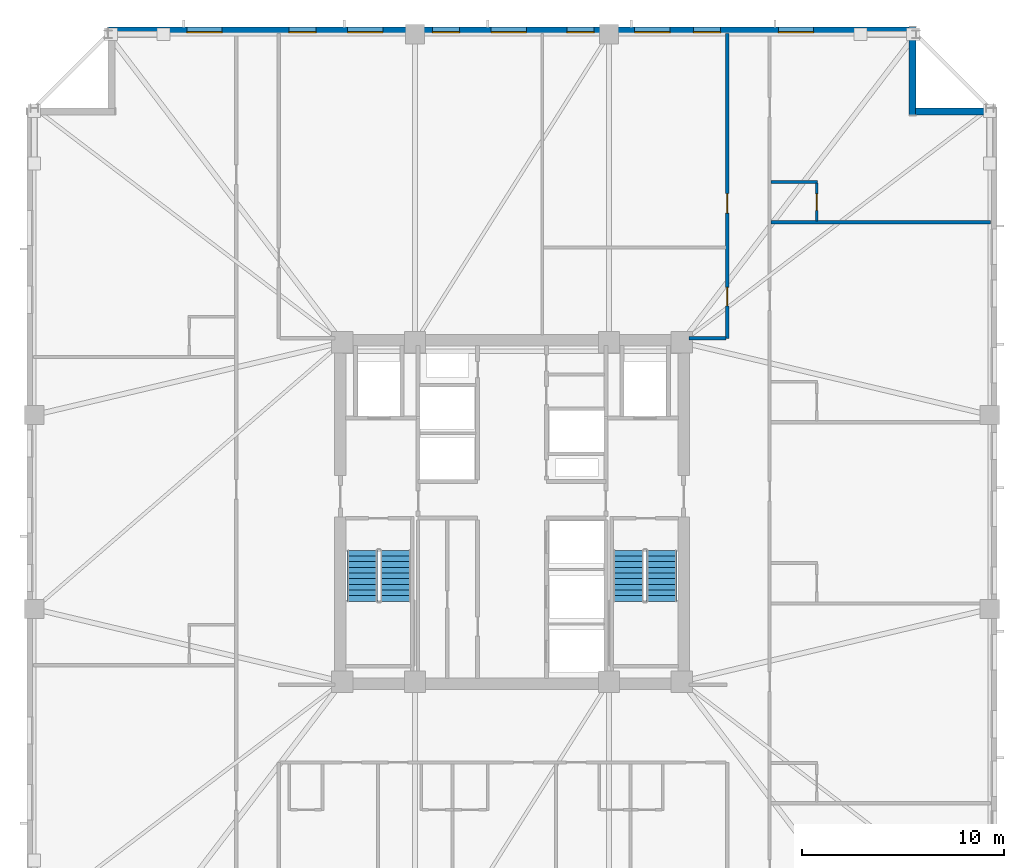
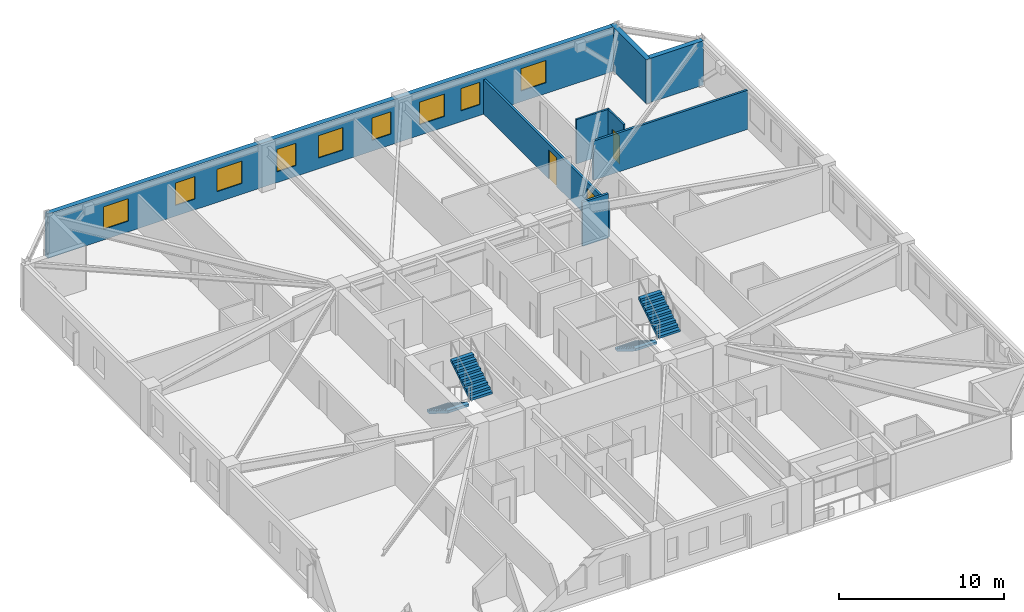
# One storey, part 6 of 11: 9 windows, 8 walls, 4 stair flights, 3 doors, 12 openings, 2 elements without a shape of their own.
"""IFC4 building model written with IfcOpenShell, lengths in metres."""

from ifc_helpers import new_model, si_unit, direction, frame, frame_2d, origin, place, context, subcontext, project, spatial, polyline, rectangle, outline, extrude, material, layer, layer_set, type_object, element, fill, aggregate, save


model = new_model("IFC4")

# Units and contexts
model_context = context("Model", 3, precision=1e-05, world=origin(), true_north=direction((0.0, 1.0)))
body_context = subcontext(model_context, "Body", "Model", "MODEL_VIEW")
ifc_project = project(units=[si_unit("LENGTHUNIT", "METRE"), si_unit("AREAUNIT", "SQUARE_METRE"), si_unit("VOLUMEUNIT", "CUBIC_METRE"), si_unit("PLANEANGLEUNIT", "RADIAN"), si_unit("MASSUNIT", "GRAM", prefix="KILO")], contexts=[model_context])

# Site, building, storey
site_placement = place(None, origin())
site = spatial("IfcSite", under=ifc_project, at=site_placement, CompositionType="ELEMENT")
building_placement = place(site_placement, origin())
building = spatial("IfcBuilding", under=site, at=building_placement, Name="Cairnveth Concourse Tower", CompositionType="ELEMENT")
storey_placement = place(building_placement, frame((0.0, 0.0, 165.5)))
storey = spatial("IfcBuildingStorey", under=building, at=storey_placement, Name="L45", CompositionType="ELEMENT", Elevation=165.5)

# Wall, openings, doors
ifc_material_1 = material(Name="Gypsum Plasterboard Partition", Category="gypsum")
ifc_layer_1 = layer(ifc_material_1, 0.159912109375)
ifc_layer_set_1 = layer_set([ifc_layer_1], Name="Gypsum Plasterboard Partition")
wall_type_1 = type_object("IfcWallType", Name="ACOUSTIC PARTY WALL 180", PredefinedType="PARTITIONING", material=ifc_layer_set_1)
wall_1_placement = place(storey_placement, frame((62.64990234375, 47.60009765625, 0.0), z_axis=(0.0, 0.0, 1.0), x_axis=(0.0, 1.0, 0.0)))
wall_1 = element("IfcWall", 1, at=wall_1_placement, inside=storey, type_object=wall_type_1, Name="Interior Wall IW-L45-044", PredefinedType="PARTITIONING", context=body_context, shape_type="SweptSolid", body=[
    extrude(rectangle(XDim=15.074951171875, YDim=0.159912109375, at=frame_2d((7.53759765625, 0.0))), origin(), (0.0, 0.0, 1.0), 2.554931640625),
])
opening_1_placement = place(wall_1_placement, frame((1.60009765625, 0.0, 0.0)))
opening_1 = element("IfcOpeningElement", 2, at=opening_1_placement, cuts=wall_1, Name="Opening ID15", PredefinedType="OPENING", context=body_context, shape_type="SweptSolid", body=[
    extrude(rectangle(XDim=0.919921875, YDim=2.1201171875, at=frame_2d((0.4599609375, 1.06005859375))), frame((0.0, 0.08984375, 0.0), z_axis=(0.0, -1.0, 0.0), x_axis=(1.0, 0.0, 0.0)), (0.0, 0.0, 1.0), 0.179931640625),
])
opening_2_placement = place(wall_1_placement, frame((6.199951171875, 0.0, 0.0)))
opening_2 = element("IfcOpeningElement", 3, at=opening_2_placement, cuts=wall_1, Name="Opening ID11", PredefinedType="OPENING", context=body_context, shape_type="SweptSolid", body=[
    extrude(rectangle(XDim=0.9599609375, YDim=2.1201171875, at=frame_2d((0.47998046875, 1.06005859375))), frame((0.0, 0.08984375, 0.0), z_axis=(0.0, -1.0, 0.0), x_axis=(1.0, 0.0, 0.0)), (0.0, 0.0, 1.0), 0.179931640625),
])
ifc_material_2 = material(Name="Solid Core Hardwood Timber Leaf", Category="wood")
door_type_1 = type_object("IfcDoorType", Name="INTERIOR SINGLE DOOR 920X2100", OperationType="NOTDEFINED", PredefinedType="DOOR", material=ifc_material_2)
door_1_placement = place(opening_1_placement, origin())
door_1 = element("IfcDoor", 4, at=door_1_placement, inside=storey, type_object=door_type_1, Name="Interior Door DR-L45-017", OperationType="SINGLE_SWING_LEFT", OverallHeight=2.1201171875, OverallWidth=0.919921875, PredefinedType="DOOR", context=body_context, shape_type="SweptSolid", body=[
    extrude(rectangle(XDim=0.919921875, YDim=2.1201171875, at=frame_2d((0.4599609375, 1.06005859375))), frame((0.0, 0.02490234375, 0.0), z_axis=(0.0, -1.0, 0.0), x_axis=(1.0, 0.0, 0.0)), (0.0, 0.0, 1.0), 0.050048828125),
])
fill(opening_1, door_1)
door_type_2 = type_object("IfcDoorType", Name="INTERIOR SINGLE DOOR 960X2150", OperationType="NOTDEFINED", PredefinedType="DOOR", material=ifc_material_2)
door_2_placement = place(opening_2_placement, origin())
door_2 = element("IfcDoor", 5, at=door_2_placement, inside=storey, type_object=door_type_2, Name="Interior Door DR-L45-018", OperationType="SINGLE_SWING_RIGHT", OverallHeight=2.1201171875, OverallWidth=0.9599609375, PredefinedType="DOOR", context=body_context, shape_type="SweptSolid", body=[
    extrude(rectangle(XDim=0.9599609375, YDim=2.1201171875, at=frame_2d((0.47998046875, 1.06005859375))), frame((0.0, 0.02490234375, 0.0), z_axis=(0.0, -1.0, 0.0), x_axis=(1.0, 0.0, 0.0)), (0.0, 0.0, 1.0), 0.050048828125),
])
fill(opening_2, door_2)

# Walls
wall_2_placement = place(storey_placement, frame((60.764892578125, 47.60009765625, 0.0), z_axis=(0.0, 0.0, 1.0), x_axis=(1.0, 0.0, 0.0)))
element("IfcWall", 6, at=wall_2_placement, inside=storey, type_object=wall_type_1, Name="Interior Wall IW-L45-046", PredefinedType="PARTITIONING", context=body_context, shape_type="SweptSolid", body=[
    extrude(rectangle(XDim=1.820068359375, YDim=0.159912109375, at=frame_2d((0.91015625, 0.0))), origin(), (0.0, 0.0, 1.0), 3.280029296875),
])
wall_3_placement = place(storey_placement, frame((64.830078125, 53.338134765625, 0.0), z_axis=(0.0, 0.0, 1.0), x_axis=(1.0, 0.0, 0.0)))
element("IfcWall", 7, at=wall_3_placement, inside=storey, type_object=wall_type_1, Name="Interior Wall IW-L45-086", PredefinedType="PARTITIONING", context=body_context, shape_type="SweptSolid", body=[
    extrude(rectangle(XDim=10.844970703125, YDim=0.159912109375, at=frame_2d((5.42236328125, 0.0))), origin(), (0.0, 0.0, 1.0), 2.89599609375),
])
ifc_layer_2 = layer(ifc_material_1, 0.1298828125)
ifc_layer_set_2 = layer_set([ifc_layer_2], Name="Gypsum Plasterboard Partition")
wall_type_2 = type_object("IfcWallType", Name="WET AREA PARTITION 140", PredefinedType="PLUMBINGWALL", material=ifc_layer_set_2)
wall_4_placement = place(storey_placement, frame((64.81494140625, 55.338134765625, 0.0), z_axis=(0.0, 0.0, 1.0), x_axis=(1.0, 0.0, 0.0)))
element("IfcWall", 8, at=wall_4_placement, inside=storey, type_object=wall_type_2, Name="Interior Wall IW-L45-087", PredefinedType="PLUMBINGWALL", context=body_context, shape_type="SweptSolid", body=[
    extrude(rectangle(XDim=2.31494140625, YDim=0.1298828125, at=frame_2d((1.157470703125, 0.0))), origin(), (0.0, 0.0, 1.0), 3.280029296875),
])

# Wall, opening, door
wall_5_placement = place(storey_placement, frame((67.080078125, 53.403076171875, 0.0), z_axis=(0.0, 0.0, 1.0), x_axis=(0.0, 1.0, 0.0)))
wall_5 = element("IfcWall", 9, at=wall_5_placement, inside=storey, type_object=wall_type_2, Name="Interior Wall IW-L45-088", PredefinedType="PLUMBINGWALL", context=body_context, shape_type="SweptSolid", body=[
    extrude(rectangle(XDim=1.885009765625, YDim=0.1298828125, at=frame_2d((0.9423828125, 0.0))), origin(), (0.0, 0.0, 1.0), 3.280029296875),
])
opening_3_placement = place(wall_5_placement, frame((0.52490234375, 0.0, 0.0)))
opening_3 = element("IfcOpeningElement", 10, at=opening_3_placement, cuts=wall_5, Name="Opening ID22", PredefinedType="OPENING", context=body_context, shape_type="SweptSolid", body=[
    extrude(rectangle(XDim=0.820068359375, YDim=2.10009765625, at=frame_2d((0.41015625, 1.050048828125))), frame((0.0, 0.074951171875, 0.0), z_axis=(0.0, -1.0, 0.0), x_axis=(1.0, 0.0, 0.0)), (0.0, 0.0, 1.0), 0.14990234375),
])
door_type_3 = type_object("IfcDoorType", Name="INTERIOR WC DOOR 820X2100", OperationType="NOTDEFINED", PredefinedType="DOOR", material=ifc_material_2)
door_3_placement = place(opening_3_placement, origin())
door_3 = element("IfcDoor", 11, at=door_3_placement, inside=storey, type_object=door_type_3, Name="En-Suite Door L45-E5", OperationType="SINGLE_SWING_LEFT", OverallHeight=2.10009765625, OverallWidth=0.820068359375, PredefinedType="DOOR", context=body_context, shape_type="SweptSolid", body=[
    extrude(rectangle(XDim=0.820068359375, YDim=2.10009765625, at=frame_2d((0.41015625, 1.050048828125))), frame((0.0, 0.02490234375, 0.0), z_axis=(0.0, -1.0, 0.0), x_axis=(1.0, 0.0, 0.0)), (0.0, 0.0, 1.0), 0.050048828125),
])
fill(opening_3, door_3)

# Wall, openings, windows
ifc_material_3 = material(Name="Hawthorn Red-Ochre Fired Clay Brick Masonry", Category="masonry")
ifc_layer_3 = layer(ifc_material_3, 0.340087890625)
ifc_layer_set_3 = layer_set([ifc_layer_3], Name="Hawthorn Red-Ochre Fired Clay Brick Masonry")
wall_type_3 = type_object("IfcWallType", Name="ZONE 2 BRICK PIER SPANDREL WALL 340", PredefinedType="SOLIDWALL", material=ifc_layer_set_3)
wall_6_placement = place(storey_placement, frame((32.0, 62.830078125, 0.0), z_axis=(0.0, 0.0, 1.0), x_axis=(1.0, 0.0, 0.0)))
wall_6 = element("IfcWall", 12, at=wall_6_placement, inside=storey, type_object=wall_type_3, Name="Exterior Wall EW-L45-S06", PredefinedType="SOLIDWALL", context=body_context, shape_type="SweptSolid", body=[
    extrude(rectangle(XDim=39.681884765625, YDim=0.340087890625, at=frame_2d((19.8408203125, 0.0))), origin(), (0.0, 0.0, 1.0), 3.280029296875),
])
opening_4_placement = place(wall_6_placement, frame((3.90185546875, 0.0, 0.800048828125)))
opening_4 = element("IfcOpeningElement", 13, at=opening_4_placement, cuts=wall_6, Name="Opening W06", PredefinedType="OPENING", context=body_context, shape_type="SweptSolid", body=[
    extrude(rectangle(XDim=1.75, YDim=1.659912109375, at=frame_2d((0.875, 0.830078125))), frame((0.0, 0.179931640625, 0.0), z_axis=(0.0, -1.0, 0.0), x_axis=(1.0, 0.0, 0.0)), (0.0, 0.0, 1.0), 0.360107421875),
])
opening_5_placement = place(wall_6_placement, frame((8.955322265625, 0.0, 0.800048828125)))
opening_5 = element("IfcOpeningElement", 14, at=opening_5_placement, cuts=wall_6, Name="Opening W02", PredefinedType="OPENING", context=body_context, shape_type="SweptSolid", body=[
    extrude(rectangle(XDim=1.35009765625, YDim=1.659912109375, at=frame_2d((0.675048828125, 0.830078125))), frame((0.0, 0.179931640625, 0.0), z_axis=(0.0, -1.0, 0.0), x_axis=(1.0, 0.0, 0.0)), (0.0, 0.0, 1.0), 0.360107421875),
])
opening_6_placement = place(wall_6_placement, frame((11.85888671875, 0.0, 0.800048828125)))
opening_6 = element("IfcOpeningElement", 15, at=opening_6_placement, cuts=wall_6, Name="Opening W06", PredefinedType="OPENING", context=body_context, shape_type="SweptSolid", body=[
    extrude(rectangle(XDim=1.75, YDim=1.659912109375, at=frame_2d((0.875, 0.830078125))), frame((0.0, 0.179931640625, 0.0), z_axis=(0.0, -1.0, 0.0), x_axis=(1.0, 0.0, 0.0)), (0.0, 0.0, 1.0), 0.360107421875),
])
opening_7_placement = place(wall_6_placement, frame((16.0625, 0.0, 0.800048828125)))
opening_7 = element("IfcOpeningElement", 16, at=opening_7_placement, cuts=wall_6, Name="Opening W02", PredefinedType="OPENING", context=body_context, shape_type="SweptSolid", body=[
    extrude(rectangle(XDim=1.35009765625, YDim=1.659912109375, at=frame_2d((0.675048828125, 0.830078125))), frame((0.0, 0.179931640625, 0.0), z_axis=(0.0, -1.0, 0.0), x_axis=(1.0, 0.0, 0.0)), (0.0, 0.0, 1.0), 0.360107421875),
])
opening_8_placement = place(wall_6_placement, frame((18.966064453125, 0.0, 0.800048828125)))
opening_8 = element("IfcOpeningElement", 17, at=opening_8_placement, cuts=wall_6, Name="Opening W06", PredefinedType="OPENING", context=body_context, shape_type="SweptSolid", body=[
    extrude(rectangle(XDim=1.75, YDim=1.659912109375, at=frame_2d((0.875, 0.830078125))), frame((0.0, 0.179931640625, 0.0), z_axis=(0.0, -1.0, 0.0), x_axis=(1.0, 0.0, 0.0)), (0.0, 0.0, 1.0), 0.360107421875),
])
opening_9_placement = place(wall_6_placement, frame((22.719482421875, 0.0, 0.800048828125)))
opening_9 = element("IfcOpeningElement", 18, at=opening_9_placement, cuts=wall_6, Name="Opening W02", PredefinedType="OPENING", context=body_context, shape_type="SweptSolid", body=[
    extrude(rectangle(XDim=1.35009765625, YDim=1.659912109375, at=frame_2d((0.675048828125, 0.830078125))), frame((0.0, 0.179931640625, 0.0), z_axis=(0.0, -1.0, 0.0), x_axis=(1.0, 0.0, 0.0)), (0.0, 0.0, 1.0), 0.360107421875),
])
opening_10_placement = place(wall_6_placement, frame((26.072998046875, 0.0, 0.800048828125)))
opening_10 = element("IfcOpeningElement", 19, at=opening_10_placement, cuts=wall_6, Name="Opening W06", PredefinedType="OPENING", context=body_context, shape_type="SweptSolid", body=[
    extrude(rectangle(XDim=1.75, YDim=1.659912109375, at=frame_2d((0.875, 0.830078125))), frame((0.0, 0.179931640625, 0.0), z_axis=(0.0, -1.0, 0.0), x_axis=(1.0, 0.0, 0.0)), (0.0, 0.0, 1.0), 0.360107421875),
])
opening_11_placement = place(wall_6_placement, frame((28.976806640625, 0.0, 0.800048828125)))
opening_11 = element("IfcOpeningElement", 20, at=opening_11_placement, cuts=wall_6, Name="Opening W02", PredefinedType="OPENING", context=body_context, shape_type="SweptSolid", body=[
    extrude(rectangle(XDim=1.35009765625, YDim=1.659912109375, at=frame_2d((0.675048828125, 0.830078125))), frame((0.0, 0.179931640625, 0.0), z_axis=(0.0, -1.0, 0.0), x_axis=(1.0, 0.0, 0.0)), (0.0, 0.0, 1.0), 0.360107421875),
])
opening_12_placement = place(wall_6_placement, frame((33.18017578125, 0.0, 0.800048828125)))
opening_12 = element("IfcOpeningElement", 21, at=opening_12_placement, cuts=wall_6, Name="Opening W06", PredefinedType="OPENING", context=body_context, shape_type="SweptSolid", body=[
    extrude(rectangle(XDim=1.75, YDim=1.659912109375, at=frame_2d((0.875, 0.830078125))), frame((0.0, 0.179931640625, 0.0), z_axis=(0.0, -1.0, 0.0), x_axis=(1.0, 0.0, 0.0)), (0.0, 0.0, 1.0), 0.360107421875),
])
ifc_material_4 = material(Name="Double Glazed Low-E Clear Glass", Category="glass")
window_type_1 = type_object("IfcWindowType", Name="DEEP-SET GOTHIC LANCET WINDOW 1350X1800", PartitioningType="DOUBLE_PANEL_VERTICAL", PredefinedType="WINDOW", material=ifc_material_4)
window_1_placement = place(opening_5_placement, origin())
window_1 = element("IfcWindow", 22, at=window_1_placement, inside=storey, type_object=window_type_1, Name="Gothic Lancet Window L45-6-2", OverallHeight=1.659912109375, OverallWidth=1.35009765625, PartitioningType="SINGLE_PANEL", PredefinedType="WINDOW", context=body_context, shape_type="SweptSolid", body=[
    extrude(rectangle(XDim=1.35009765625, YDim=1.659912109375, at=frame_2d((0.675048828125, 0.830078125))), frame((0.0, -0.050048828125, 0.0), z_axis=(0.0, -1.0, 0.0), x_axis=(1.0, 0.0, 0.0)), (0.0, 0.0, 1.0), 0.06005859375),
])
fill(opening_5, window_1)
window_2_placement = place(opening_7_placement, origin())
window_2 = element("IfcWindow", 23, at=window_2_placement, inside=storey, type_object=window_type_1, Name="Gothic Lancet Window L45-6-4", OverallHeight=1.659912109375, OverallWidth=1.35009765625, PartitioningType="SINGLE_PANEL", PredefinedType="WINDOW", context=body_context, shape_type="SweptSolid", body=[
    extrude(rectangle(XDim=1.35009765625, YDim=1.659912109375, at=frame_2d((0.675048828125, 0.830078125))), frame((0.0, -0.050048828125, 0.0), z_axis=(0.0, -1.0, 0.0), x_axis=(1.0, 0.0, 0.0)), (0.0, 0.0, 1.0), 0.06005859375),
])
fill(opening_7, window_2)
window_3_placement = place(opening_9_placement, origin())
window_3 = element("IfcWindow", 24, at=window_3_placement, inside=storey, type_object=window_type_1, Name="Gothic Lancet Window L45-6-6", OverallHeight=1.659912109375, OverallWidth=1.35009765625, PartitioningType="SINGLE_PANEL", PredefinedType="WINDOW", context=body_context, shape_type="SweptSolid", body=[
    extrude(rectangle(XDim=1.35009765625, YDim=1.659912109375, at=frame_2d((0.675048828125, 0.830078125))), frame((0.0, -0.050048828125, 0.0), z_axis=(0.0, -1.0, 0.0), x_axis=(1.0, 0.0, 0.0)), (0.0, 0.0, 1.0), 0.06005859375),
])
fill(opening_9, window_3)
window_4_placement = place(opening_11_placement, origin())
window_4 = element("IfcWindow", 25, at=window_4_placement, inside=storey, type_object=window_type_1, Name="Gothic Lancet Window L45-6-8", OverallHeight=1.659912109375, OverallWidth=1.35009765625, PartitioningType="SINGLE_PANEL", PredefinedType="WINDOW", context=body_context, shape_type="SweptSolid", body=[
    extrude(rectangle(XDim=1.35009765625, YDim=1.659912109375, at=frame_2d((0.675048828125, 0.830078125))), frame((0.0, -0.050048828125, 0.0), z_axis=(0.0, -1.0, 0.0), x_axis=(1.0, 0.0, 0.0)), (0.0, 0.0, 1.0), 0.06005859375),
])
fill(opening_11, window_4)
window_type_2 = type_object("IfcWindowType", Name="DEEP-SET HOTEL SUITE WINDOW 1750X1800", PartitioningType="DOUBLE_PANEL_VERTICAL", PredefinedType="WINDOW", material=ifc_material_4)
window_5_placement = place(opening_4_placement, origin())
window_5 = element("IfcWindow", 26, at=window_5_placement, inside=storey, type_object=window_type_2, Name="Gothic Lancet Window L45-6-1", OverallHeight=1.659912109375, OverallWidth=1.75, PartitioningType="SINGLE_PANEL", PredefinedType="WINDOW", context=body_context, shape_type="SweptSolid", body=[
    extrude(rectangle(XDim=1.75, YDim=1.659912109375, at=frame_2d((0.875, 0.830078125))), frame((0.0, -0.050048828125, 0.0), z_axis=(0.0, -1.0, 0.0), x_axis=(1.0, 0.0, 0.0)), (0.0, 0.0, 1.0), 0.06005859375),
])
fill(opening_4, window_5)
window_6_placement = place(opening_6_placement, origin())
window_6 = element("IfcWindow", 27, at=window_6_placement, inside=storey, type_object=window_type_2, Name="Gothic Lancet Window L45-6-3", OverallHeight=1.659912109375, OverallWidth=1.75, PartitioningType="SINGLE_PANEL", PredefinedType="WINDOW", context=body_context, shape_type="SweptSolid", body=[
    extrude(rectangle(XDim=1.75, YDim=1.659912109375, at=frame_2d((0.875, 0.830078125))), frame((0.0, -0.050048828125, 0.0), z_axis=(0.0, -1.0, 0.0), x_axis=(1.0, 0.0, 0.0)), (0.0, 0.0, 1.0), 0.06005859375),
])
fill(opening_6, window_6)
window_7_placement = place(opening_8_placement, origin())
window_7 = element("IfcWindow", 28, at=window_7_placement, inside=storey, type_object=window_type_2, Name="Gothic Lancet Window L45-6-5", OverallHeight=1.659912109375, OverallWidth=1.75, PartitioningType="SINGLE_PANEL", PredefinedType="WINDOW", context=body_context, shape_type="SweptSolid", body=[
    extrude(rectangle(XDim=1.75, YDim=1.659912109375, at=frame_2d((0.875, 0.830078125))), frame((0.0, -0.050048828125, 0.0), z_axis=(0.0, -1.0, 0.0), x_axis=(1.0, 0.0, 0.0)), (0.0, 0.0, 1.0), 0.06005859375),
])
fill(opening_8, window_7)
window_8_placement = place(opening_10_placement, origin())
window_8 = element("IfcWindow", 29, at=window_8_placement, inside=storey, type_object=window_type_2, Name="Gothic Lancet Window L45-6-7", OverallHeight=1.659912109375, OverallWidth=1.75, PartitioningType="SINGLE_PANEL", PredefinedType="WINDOW", context=body_context, shape_type="SweptSolid", body=[
    extrude(rectangle(XDim=1.75, YDim=1.659912109375, at=frame_2d((0.875, 0.830078125))), frame((0.0, -0.050048828125, 0.0), z_axis=(0.0, -1.0, 0.0), x_axis=(1.0, 0.0, 0.0)), (0.0, 0.0, 1.0), 0.06005859375),
])
fill(opening_10, window_8)
window_9_placement = place(opening_12_placement, origin())
window_9 = element("IfcWindow", 30, at=window_9_placement, inside=storey, type_object=window_type_2, Name="Gothic Lancet Window L45-6-9", OverallHeight=1.659912109375, OverallWidth=1.75, PartitioningType="SINGLE_PANEL", PredefinedType="WINDOW", context=body_context, shape_type="SweptSolid", body=[
    extrude(rectangle(XDim=1.75, YDim=1.659912109375, at=frame_2d((0.875, 0.830078125))), frame((0.0, -0.050048828125, 0.0), z_axis=(0.0, -1.0, 0.0), x_axis=(1.0, 0.0, 0.0)), (0.0, 0.0, 1.0), 0.06005859375),
])
fill(opening_12, window_9)

# Walls
wall_7_placement = place(storey_placement, frame((71.830078125, 63.0, 0.0), z_axis=(0.0, 0.0, 1.0), x_axis=(0.0, -1.0, 0.0)))
element("IfcWall", 31, at=wall_7_placement, inside=storey, type_object=wall_type_3, Name="Exterior Wall EW-L45-S07", PredefinedType="SOLIDWALL", context=body_context, shape_type="SweptSolid", body=[
    extrude(rectangle(XDim=4.340087890625, YDim=0.340087890625, at=frame_2d((2.169921875, 0.0))), origin(), (0.0, 0.0, 1.0), 3.280029296875),
])
wall_8_placement = place(storey_placement, frame((71.97802734375, 58.830078125, 0.0), z_axis=(0.0, 0.0, 1.0), x_axis=(1.0, 0.0, 0.0)))
element("IfcWall", 32, at=wall_8_placement, inside=storey, type_object=wall_type_3, Name="Exterior Wall EW-L45-S08", PredefinedType="SOLIDWALL", context=body_context, shape_type="SweptSolid", body=[
    extrude(rectangle(XDim=3.703857421875, YDim=0.340087890625, at=frame_2d((1.85205078125, 0.0))), origin(), (0.0, 0.0, 1.0), 3.280029296875),
])

# Stair, stair flights
ifc_material_5 = material(Name="Precast concrete N50 (50 MPa)", Category="concrete")
stair_type = type_object("IfcStairType", Name="CORE DOG-LEG FIRE STAIR 1500", PredefinedType="HALF_TURN_STAIR", material=ifc_material_5)
stair_1_placement = place(storey_placement, origin())
stair_1 = element("IfcStair", 33, at=stair_1_placement, inside=storey, type_object=stair_type, Name="L45 Fire-Isolated Stair ST-1", PredefinedType="HALF_TURN_STAIR")
stair_flight_type = type_object("IfcStairFlightType", Name="PRECAST CONCRETE STAIR FLIGHT 1500", PredefinedType="STRAIGHT", material=ifc_material_5)
stair_flight_1_placement = place(storey_placement, frame((44.590087890625, 37.10009765625, 0.0), z_axis=(0.0, 0.0, 1.0), x_axis=(0.0, -1.0, 0.0)))
stair_flight_1 = element("IfcStairFlight", 34, at=stair_flight_1_placement, type_object=stair_flight_type, Name="ST-1 flight 1", NumberOfRisers=10, NumberOfTreads=9, PredefinedType="STRAIGHT", RiserHeight=0.175, TreadLength=0.28, context=body_context, shape_type="SweptSolid", body=[
    extrude(outline(polyline([(0.0, 0.0), (0.0, 0.175048828125), (0.280029296875, 0.175048828125), (0.280029296875, 0.35009765625), (0.56005859375, 0.35009765625), (0.56005859375, 0.52490234375), (0.840087890625, 0.52490234375), (0.840087890625, 0.699951171875), (1.1201171875, 0.699951171875), (1.1201171875, 0.875), (1.39990234375, 0.875), (1.39990234375, 1.050048828125), (1.679931640625, 1.050048828125), (1.679931640625, 1.22509765625), (1.9599609375, 1.22509765625), (1.9599609375, 1.39990234375), (2.239990234375, 1.39990234375), (2.239990234375, 1.574951171875), (2.52001953125, 1.574951171875), (2.52001953125, 1.75), (2.52001953125, 1.398193359375), (0.28271484375, 0.0), (0.0, 0.0)])), frame((0.0, 0.75, 0.0), z_axis=(0.0, -1.0, 0.0), x_axis=(1.0, 0.0, 0.0)), (0.0, 0.0, 1.0), 1.5),
])
stair_flight_2_placement = place(storey_placement, frame((46.22998046875, 34.580078125, 1.75), z_axis=(0.0, 0.0, 1.0), x_axis=(0.0, 1.0, 0.0)))
stair_flight_2 = element("IfcStairFlight", 35, at=stair_flight_2_placement, type_object=stair_flight_type, Name="ST-1 flight 2", NumberOfRisers=10, NumberOfTreads=9, PredefinedType="STRAIGHT", RiserHeight=0.175, TreadLength=0.28, context=body_context, shape_type="SweptSolid", body=[
    extrude(outline(polyline([(0.0, 0.0), (0.0, 0.175048828125), (0.280029296875, 0.175048828125), (0.280029296875, 0.35009765625), (0.56005859375, 0.35009765625), (0.56005859375, 0.52490234375), (0.840087890625, 0.52490234375), (0.840087890625, 0.699951171875), (1.1201171875, 0.699951171875), (1.1201171875, 0.875), (1.39990234375, 0.875), (1.39990234375, 1.050048828125), (1.679931640625, 1.050048828125), (1.679931640625, 1.22509765625), (1.9599609375, 1.22509765625), (1.9599609375, 1.39990234375), (2.239990234375, 1.39990234375), (2.239990234375, 1.574951171875), (2.52001953125, 1.574951171875), (2.52001953125, 1.75), (2.52001953125, 1.398193359375), (0.28271484375, 0.0), (0.0, 0.0)])), frame((0.0, 0.75, 0.0), z_axis=(0.0, -1.0, 0.0), x_axis=(1.0, 0.0, 0.0)), (0.0, 0.0, 1.0), 1.5),
])
aggregate(stair_1, [stair_flight_1, stair_flight_2])

stair_2_placement = place(storey_placement, origin())
stair_2 = element("IfcStair", 36, at=stair_2_placement, inside=storey, type_object=stair_type, Name="L45 Fire-Isolated Stair ST-2", PredefinedType="HALF_TURN_STAIR")
stair_flight_3_placement = place(storey_placement, frame((57.77001953125, 37.10009765625, 0.0), z_axis=(0.0, 0.0, 1.0), x_axis=(0.0, -1.0, 0.0)))
stair_flight_3 = element("IfcStairFlight", 37, at=stair_flight_3_placement, type_object=stair_flight_type, Name="ST-2 flight 1", NumberOfRisers=10, NumberOfTreads=9, PredefinedType="STRAIGHT", RiserHeight=0.175, TreadLength=0.28, context=body_context, shape_type="SweptSolid", body=[
    extrude(outline(polyline([(0.0, 0.0), (0.0, 0.175048828125), (0.280029296875, 0.175048828125), (0.280029296875, 0.35009765625), (0.56005859375, 0.35009765625), (0.56005859375, 0.52490234375), (0.840087890625, 0.52490234375), (0.840087890625, 0.699951171875), (1.1201171875, 0.699951171875), (1.1201171875, 0.875), (1.39990234375, 0.875), (1.39990234375, 1.050048828125), (1.679931640625, 1.050048828125), (1.679931640625, 1.22509765625), (1.9599609375, 1.22509765625), (1.9599609375, 1.39990234375), (2.239990234375, 1.39990234375), (2.239990234375, 1.574951171875), (2.52001953125, 1.574951171875), (2.52001953125, 1.75), (2.52001953125, 1.398193359375), (0.28271484375, 0.0), (0.0, 0.0)])), frame((0.0, 0.75, 0.0), z_axis=(0.0, -1.0, 0.0), x_axis=(1.0, 0.0, 0.0)), (0.0, 0.0, 1.0), 1.5),
])
stair_flight_4_placement = place(storey_placement, frame((59.409912109375, 34.580078125, 1.75), z_axis=(0.0, 0.0, 1.0), x_axis=(0.0, 1.0, 0.0)))
stair_flight_4 = element("IfcStairFlight", 38, at=stair_flight_4_placement, type_object=stair_flight_type, Name="ST-2 flight 2", NumberOfRisers=10, NumberOfTreads=9, PredefinedType="STRAIGHT", RiserHeight=0.175, TreadLength=0.28, context=body_context, shape_type="SweptSolid", body=[
    extrude(outline(polyline([(0.0, 0.0), (0.0, 0.175048828125), (0.280029296875, 0.175048828125), (0.280029296875, 0.35009765625), (0.56005859375, 0.35009765625), (0.56005859375, 0.52490234375), (0.840087890625, 0.52490234375), (0.840087890625, 0.699951171875), (1.1201171875, 0.699951171875), (1.1201171875, 0.875), (1.39990234375, 0.875), (1.39990234375, 1.050048828125), (1.679931640625, 1.050048828125), (1.679931640625, 1.22509765625), (1.9599609375, 1.22509765625), (1.9599609375, 1.39990234375), (2.239990234375, 1.39990234375), (2.239990234375, 1.574951171875), (2.52001953125, 1.574951171875), (2.52001953125, 1.75), (2.52001953125, 1.398193359375), (0.28271484375, 0.0), (0.0, 0.0)])), frame((0.0, 0.75, 0.0), z_axis=(0.0, -1.0, 0.0), x_axis=(1.0, 0.0, 0.0)), (0.0, 0.0, 1.0), 1.5),
])
aggregate(stair_2, [stair_flight_3, stair_flight_4])

save(model, "model.ifc")
